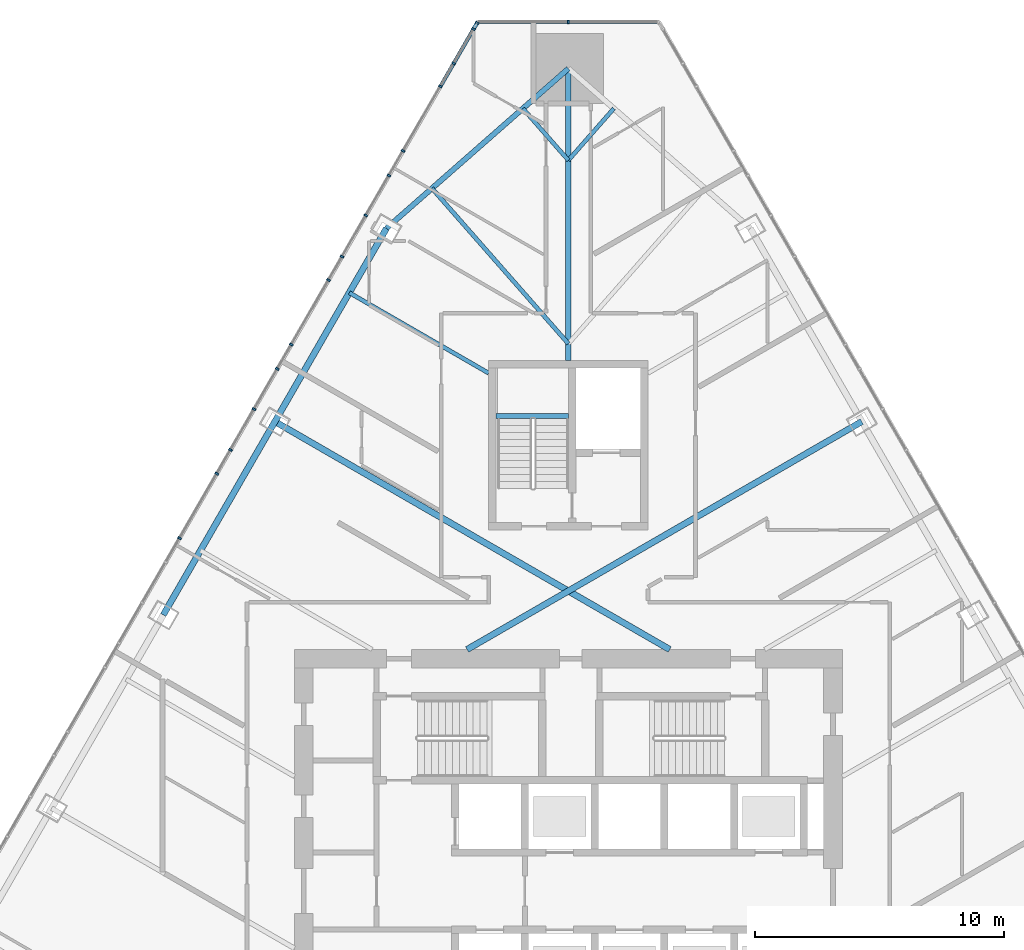
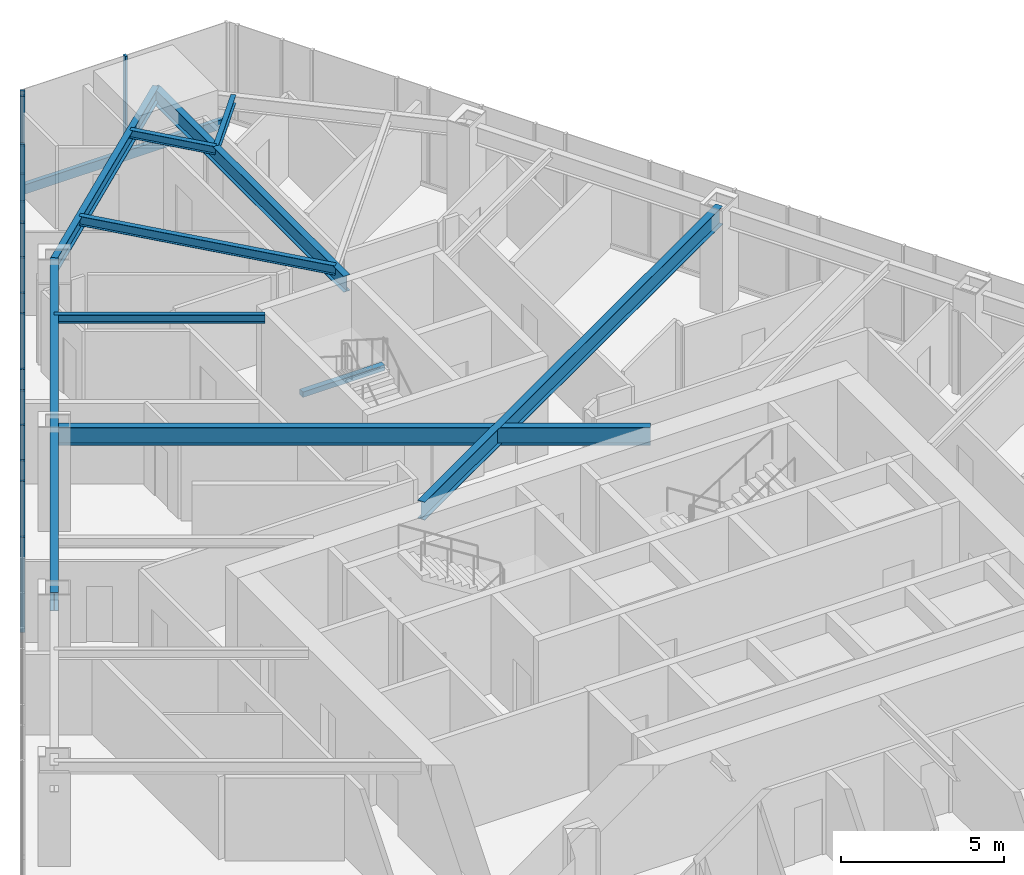
# One storey, part 11 of 26: 19 members, 10 beams, 2 elements without a shape of their own.
"""IFC4 building model written with IfcOpenShell, lengths in metres."""

from ifc_helpers import new_model, si_unit, direction, frame, origin, origin_2d, place, context, subcontext, project, spatial, rectangle, i_section, extrude, material, layer, layer_set, material_profile, profile_set, type_object, element, aggregate, save


model = new_model("IFC4")

# Units and contexts
model_context = context("Model", 3, precision=1e-05, world=origin(), true_north=direction((0.0, 1.0)))
body_context = subcontext(model_context, "Body", "Model", "MODEL_VIEW")
ifc_project = project(units=[si_unit("LENGTHUNIT", "METRE"), si_unit("AREAUNIT", "SQUARE_METRE"), si_unit("VOLUMEUNIT", "CUBIC_METRE"), si_unit("PLANEANGLEUNIT", "RADIAN"), si_unit("MASSUNIT", "GRAM", prefix="KILO")], contexts=[model_context])

# Site, building, storey
site_placement = place(None, origin())
site = spatial("IfcSite", under=ifc_project, at=site_placement, CompositionType="ELEMENT")
building_placement = place(site_placement, origin())
building = spatial("IfcBuilding", under=site, at=building_placement, Name="Firuza Gate Tower and Library", CompositionType="ELEMENT")
storey_placement = place(building_placement, frame((0.0, 0.0, 175.300048828125)))
storey = spatial("IfcBuildingStorey", under=building, at=storey_placement, Name="L40", CompositionType="ELEMENT", Elevation=175.300048828125)

# Curtain wall, member
ifc_material_1 = material(Name="Aluminium 6063-T6", Category="aluminium")
ifc_layer_1 = layer(ifc_material_1, 0.14990234375)
ifc_layer_set_1 = layer_set([ifc_layer_1], Name="Corner curtain wall, chamfers")
curtain_wall_type_1 = type_object("IfcCurtainWallType", Name="Corner curtain wall, chamfers", PredefinedType="NOTDEFINED", material=ifc_layer_set_1)
placement = place(storey_placement, origin())
curtain_wall_1 = element("IfcCurtainWall", 1, at=placement, inside=storey, type_object=curtain_wall_type_1, Name="CW4 L40 N corner", PredefinedType="NOTDEFINED")
ifc_material_2 = material(Name="Aluminium 6063-T6", Category="aluminium")
ifc_material_profile_1 = material_profile(ifc_material_2, rectangle(XDim=0.14990234375, YDim=0.080078125, at=origin_2d()))
ifc_profile_set_1 = profile_set([ifc_material_profile_1], Name="Aluminium 6063-T6")
member_type_1 = type_object("IfcMemberType", Name="Curtain wall mullion 80x150", PredefinedType="MULLION", material=ifc_profile_set_1)
member_1_placement = place(storey_placement, frame((75.0, 108.198486328125, 0.14990234375), z_axis=(0.0, 0.0, 1.0), x_axis=(0.0, -1.0, 0.0)))
member_1 = element("IfcMember", 2, at=member_1_placement, type_object=member_type_1, Name="Mullion", PredefinedType="MULLION", context=body_context, shape_type="SweptSolid", body=[
    extrude(rectangle(XDim=0.14990234375, YDim=0.080078125, at=origin_2d()), origin(), (0.0, 0.0, 1.0), 3.550048828125),
])

# Curtain wall, members
ifc_material_3 = material(Name="Aluminium 6063-T6", Category="aluminium")
ifc_layer_2 = layer(ifc_material_3, 0.14990234375)
ifc_layer_set_2 = layer_set([ifc_layer_2], Name="Unitised curtain wall, hotel")
curtain_wall_type_2 = type_object("IfcCurtainWallType", Name="Unitised curtain wall, hotel", PredefinedType="NOTDEFINED", material=ifc_layer_set_2)
curtain_wall_2 = element("IfcCurtainWall", 3, at=placement, inside=storey, type_object=curtain_wall_type_2, Name="CW2 L40 W face", PredefinedType="NOTDEFINED")
member_2_placement = place(storey_placement, frame((71.336669921875, 108.163818359375, 0.14990234375), z_axis=(0.0, 0.0, 1.0), x_axis=(0.866025403784, -0.5, 0.0)))
member_2 = element("IfcMember", 4, at=member_2_placement, type_object=member_type_1, Name="Mullion", PredefinedType="MULLION", context=body_context, shape_type="SweptSolid", body=[
    extrude(rectangle(XDim=0.14990234375, YDim=0.080078125, at=origin_2d()), origin(), (0.0, 0.0, 1.0), 3.550048828125),
])
member_3_placement = place(storey_placement, frame((69.860595703125, 105.607177734375, 0.14990234375), z_axis=(0.0, 0.0, 1.0), x_axis=(0.866025403784, -0.5, 0.0)))
member_3 = element("IfcMember", 5, at=member_3_placement, type_object=member_type_1, Name="Mullion", PredefinedType="MULLION", context=body_context, shape_type="SweptSolid", body=[
    extrude(rectangle(XDim=0.14990234375, YDim=0.080078125, at=origin_2d()), origin(), (0.0, 0.0, 1.0), 3.550048828125),
])
member_4_placement = place(storey_placement, frame((68.364501953125, 103.015869140625, 0.14990234375), z_axis=(0.0, 0.0, 1.0), x_axis=(0.866025403784, -0.5, 0.0)))
member_4 = element("IfcMember", 6, at=member_4_placement, type_object=member_type_1, Name="Mullion", PredefinedType="MULLION", context=body_context, shape_type="SweptSolid", body=[
    extrude(rectangle(XDim=0.14990234375, YDim=0.080078125, at=origin_2d()), origin(), (0.0, 0.0, 1.0), 3.550048828125),
])
member_5_placement = place(storey_placement, frame((66.868408203125, 100.4248046875, 0.14990234375), z_axis=(0.0, 0.0, 1.0), x_axis=(0.866025403784, -0.5, 0.0)))
member_5 = element("IfcMember", 7, at=member_5_placement, type_object=member_type_1, Name="Mullion", PredefinedType="MULLION", context=body_context, shape_type="SweptSolid", body=[
    extrude(rectangle(XDim=0.14990234375, YDim=0.080078125, at=origin_2d()), origin(), (0.0, 0.0, 1.0), 3.550048828125),
])
member_6_placement = place(storey_placement, frame((65.37255859375, 97.83349609375, 0.14990234375), z_axis=(0.0, 0.0, 1.0), x_axis=(0.866025403784, -0.5, 0.0)))
member_6 = element("IfcMember", 8, at=member_6_placement, type_object=member_type_1, Name="Mullion", PredefinedType="MULLION", context=body_context, shape_type="SweptSolid", body=[
    extrude(rectangle(XDim=0.14990234375, YDim=0.080078125, at=origin_2d()), origin(), (0.0, 0.0, 1.0), 3.550048828125),
])
member_7_placement = place(storey_placement, frame((63.87646484375, 95.2421875, 0.14990234375), z_axis=(0.0, 0.0, 1.0), x_axis=(0.866025403784, -0.5, 0.0)))
member_7 = element("IfcMember", 9, at=member_7_placement, type_object=member_type_1, Name="Mullion", PredefinedType="MULLION", context=body_context, shape_type="SweptSolid", body=[
    extrude(rectangle(XDim=0.14990234375, YDim=0.080078125, at=origin_2d()), origin(), (0.0, 0.0, 1.0), 3.550048828125),
])
member_8_placement = place(storey_placement, frame((62.38037109375, 92.65087890625, 0.14990234375), z_axis=(0.0, 0.0, 1.0), x_axis=(0.866025403784, -0.5, 0.0)))
member_8 = element("IfcMember", 10, at=member_8_placement, type_object=member_type_1, Name="Mullion", PredefinedType="MULLION", context=body_context, shape_type="SweptSolid", body=[
    extrude(rectangle(XDim=0.14990234375, YDim=0.080078125, at=origin_2d()), origin(), (0.0, 0.0, 1.0), 3.550048828125),
])
member_9_placement = place(storey_placement, frame((60.88427734375, 90.059814453125, 0.14990234375), z_axis=(0.0, 0.0, 1.0), x_axis=(0.866025403784, -0.5, 0.0)))
member_9 = element("IfcMember", 11, at=member_9_placement, type_object=member_type_1, Name="Mullion", PredefinedType="MULLION", context=body_context, shape_type="SweptSolid", body=[
    extrude(rectangle(XDim=0.14990234375, YDim=0.080078125, at=origin_2d()), origin(), (0.0, 0.0, 1.0), 3.550048828125),
])
member_10_placement = place(storey_placement, frame((59.38818359375, 87.468505859375, 0.14990234375), z_axis=(0.0, 0.0, 1.0), x_axis=(0.866025403784, -0.5, 0.0)))
member_10 = element("IfcMember", 12, at=member_10_placement, type_object=member_type_1, Name="Mullion", PredefinedType="MULLION", context=body_context, shape_type="SweptSolid", body=[
    extrude(rectangle(XDim=0.14990234375, YDim=0.080078125, at=origin_2d()), origin(), (0.0, 0.0, 1.0), 3.550048828125),
])
member_11_placement = place(storey_placement, frame((71.191162109375, 107.91162109375, 0.14990234375), z_axis=(0.0, 0.0, 1.0), x_axis=(0.866025403784, -0.5, 0.0)))
member_11 = element("IfcMember", 13, at=member_11_placement, type_object=member_type_1, Name="Mullion", PredefinedType="MULLION", context=body_context, shape_type="SweptSolid", body=[
    extrude(rectangle(XDim=0.14990234375, YDim=0.080078125, at=origin_2d()), origin(), (0.0, 0.0, 1.0), 1.735107421875),
])
member_12_placement = place(storey_placement, frame((70.39599609375, 106.53466796875, 0.14990234375), z_axis=(0.0, 0.0, 1.0), x_axis=(0.866025403784, -0.5, 0.0)))
member_12 = element("IfcMember", 14, at=member_12_placement, type_object=member_type_1, Name="Mullion", PredefinedType="MULLION", context=body_context, shape_type="SweptSolid", body=[
    extrude(rectangle(XDim=0.14990234375, YDim=0.080078125, at=origin_2d()), origin(), (0.0, 0.0, 1.0), 1.735107421875),
])
member_13_placement = place(storey_placement, frame((71.191162109375, 107.91162109375, 1.96484375), z_axis=(0.0, 0.0, 1.0), x_axis=(0.866025403784, -0.5, 0.0)))
member_13 = element("IfcMember", 15, at=member_13_placement, type_object=member_type_1, Name="Mullion", PredefinedType="MULLION", context=body_context, shape_type="SweptSolid", body=[
    extrude(rectangle(XDim=0.14990234375, YDim=0.080078125, at=origin_2d()), origin(), (0.0, 0.0, 1.0), 1.735107421875),
])
member_14_placement = place(storey_placement, frame((67.79296875, 102.026123046875, 0.14990234375), z_axis=(0.0, 0.0, 1.0), x_axis=(0.866025403784, -0.5, 0.0)))
member_14 = element("IfcMember", 16, at=member_14_placement, type_object=member_type_1, Name="Mullion", PredefinedType="MULLION", context=body_context, shape_type="SweptSolid", body=[
    extrude(rectangle(XDim=0.14990234375, YDim=0.080078125, at=origin_2d()), origin(), (0.0, 0.0, 1.0), 3.550048828125),
])
member_15_placement = place(storey_placement, frame((65.9150390625, 98.7734375, 0.14990234375), z_axis=(0.0, 0.0, 1.0), x_axis=(0.866025403784, -0.5, 0.0)))
member_15 = element("IfcMember", 17, at=member_15_placement, type_object=member_type_1, Name="Mullion", PredefinedType="MULLION", context=body_context, shape_type="SweptSolid", body=[
    extrude(rectangle(XDim=0.14990234375, YDim=0.080078125, at=origin_2d()), origin(), (0.0, 0.0, 1.0), 3.550048828125),
])
member_16_placement = place(storey_placement, frame((63.31201171875, 94.264892578125, 0.14990234375), z_axis=(0.0, 0.0, 1.0), x_axis=(0.866025403784, -0.5, 0.0)))
member_16 = element("IfcMember", 18, at=member_16_placement, type_object=member_type_1, Name="Mullion", PredefinedType="MULLION", context=body_context, shape_type="SweptSolid", body=[
    extrude(rectangle(XDim=0.14990234375, YDim=0.080078125, at=origin_2d()), origin(), (0.0, 0.0, 1.0), 3.550048828125),
])
member_17_placement = place(storey_placement, frame((61.43408203125, 91.011962890625, 0.14990234375), z_axis=(0.0, 0.0, 1.0), x_axis=(0.866025403784, -0.5, 0.0)))
member_17 = element("IfcMember", 19, at=member_17_placement, type_object=member_type_1, Name="Mullion", PredefinedType="MULLION", context=body_context, shape_type="SweptSolid", body=[
    extrude(rectangle(XDim=0.14990234375, YDim=0.080078125, at=origin_2d()), origin(), (0.0, 0.0, 1.0), 3.550048828125),
])

# Member
ifc_material_4 = material(Name="Aluminium 6063-T6", Category="aluminium")
ifc_material_profile_2 = material_profile(ifc_material_4, rectangle(XDim=0.14990234375, YDim=0.35009765625, at=origin_2d()))
ifc_profile_set_2 = profile_set([ifc_material_profile_2], Name="Aluminium 6063-T6")
member_type_2 = type_object("IfcMemberType", Name="Curtain wall transom 350x150", PredefinedType="USERDEFINED", material=ifc_profile_set_2)
member_18_placement = place(storey_placement, frame((78.643310546875, 108.198486328125, -0.025146484375), z_axis=(-1.0, 0.0, 0.0), x_axis=(0.0, -1.0, 0.0)))
member_18 = element("IfcMember", 20, at=member_18_placement, type_object=member_type_2, Name="Transom", ObjectType="TRANSOM", PredefinedType="USERDEFINED", context=body_context, shape_type="SweptSolid", body=[
    extrude(rectangle(XDim=0.14990234375, YDim=0.35009765625, at=origin_2d()), origin(), (0.0, 0.0, 1.0), 7.28662109375),
])

aggregate(curtain_wall_1, [member_1, member_18])

ifc_material_5 = material(Name="Aluminium 6063-T6", Category="aluminium")
ifc_material_profile_3 = material_profile(ifc_material_5, rectangle(XDim=0.14990234375, YDim=0.080078125, at=origin_2d()))
ifc_profile_set_3 = profile_set([ifc_material_profile_3], Name="Aluminium 6063-T6")
member_type_3 = type_object("IfcMemberType", Name="Curtain wall transom 80x150", PredefinedType="USERDEFINED", material=ifc_profile_set_3)
member_19_placement = place(storey_placement, frame((71.336669921875, 108.163818359375, 1.925048828125), z_axis=(-0.49999822179, -0.866026430432, 0.0), x_axis=(0.866026430432, -0.49999822179, 0.0)))
member_19 = element("IfcMember", 21, at=member_19_placement, type_object=member_type_3, Name="Transom", ObjectType="TRANSOM", PredefinedType="USERDEFINED", context=body_context, shape_type="SweptSolid", body=[
    extrude(rectangle(XDim=0.14990234375, YDim=0.080078125, at=origin_2d()), origin(), (0.0, 0.0, 1.0), 2.912109375),
])

aggregate(curtain_wall_2, [member_2, member_3, member_4, member_5, member_6, member_7, member_8, member_9, member_10, member_11, member_12, member_13, member_19, member_14, member_15, member_16, member_17])

# Beams
ifc_material_6 = material(Name="Concrete C35/45", Category="concrete")
ifc_material_profile_4 = material_profile(ifc_material_6, rectangle(XDim=0.199951171875, YDim=0.199951171875, at=origin_2d()))
ifc_profile_set_4 = profile_set([ifc_material_profile_4], Name="Concrete C35/45")
beam_type_1 = type_object("IfcBeamType", Name="Stair landing bearer 200x200", PredefinedType="BEAM", material=ifc_profile_set_4)
beam_1_placement = place(storey_placement, frame((75.0, 92.3701171875, 1.64990234375), z_axis=(-1.0, 0.0, 0.0), x_axis=(0.0, -1.0, 0.0)))
element("IfcBeam", 22, at=beam_1_placement, inside=storey, type_object=beam_type_1, Name="Landing bearer L40 stair 3", PredefinedType="BEAM", context=body_context, shape_type="SweptSolid", body=[
    extrude(rectangle(XDim=0.199951171875, YDim=0.199951171875, at=origin_2d()), origin(), (0.0, 0.0, 1.0), 2.89990234375),
])
ifc_material_7 = material(Name="Steel S355", Category="steel")
ifc_material_profile_5 = material_profile(ifc_material_7, i_section(OverallWidth=0.1650390625, OverallDepth=0.31005859375, WebThickness=0.005859375, FlangeThickness=0.009765625, at=origin_2d()))
ifc_profile_set_5 = profile_set([ifc_material_profile_5], Name="Steel S355")
beam_type_2 = type_object("IfcBeamType", Name="W310x39 Floor beam", PredefinedType="JOIST", material=ifc_profile_set_5)
for number, where, z_axis, x_axis, name in (
    (23, (76.825439453125, 104.720703125, 3.544921875), (-0.659821834056, -0.751422083321, 0.0), (0.751422083321, -0.659821834056, 0.0), "Floor beam L40 s61"),
    (24, (73.174560546875, 104.720703125, 3.544921875), (0.659821834056, -0.751422083321, 0.0), (0.751422083321, 0.659821834056, 0.0), "Floor beam L40 s70"),
):
    element("IfcBeam", number, at=place(storey_placement, frame(where, z_axis=z_axis, x_axis=x_axis)), inside=storey, type_object=beam_type_2, Name=name, PredefinedType="JOIST", context=body_context, shape_type="SweptSolid", body=[
        extrude(i_section(OverallWidth=0.1650390625, OverallDepth=0.31005859375, WebThickness=0.005859375, FlangeThickness=0.009765625, at=origin_2d()), origin(), (0.0, 0.0, 1.0), 2.7666015625),
    ])
beam_2_placement = place(storey_placement, frame((66.204833984375, 97.3251953125, 3.544921875), z_axis=(0.86602071536, -0.500008120501, 0.0), x_axis=(0.500008120501, 0.86602071536, 0.0)))
element("IfcBeam", 25, at=beam_2_placement, inside=storey, type_object=beam_type_2, Name="Floor beam L40 s80", PredefinedType="JOIST", context=body_context, shape_type="SweptSolid", body=[
    extrude(i_section(OverallWidth=0.1650390625, OverallDepth=0.31005859375, WebThickness=0.005859375, FlangeThickness=0.009765625, at=origin_2d()), origin(), (0.0, 0.0, 1.0), 6.4609375),
])
ifc_material_8 = material(Name="Steel S355", Category="steel")
ifc_material_profile_6 = material_profile(ifc_material_8, i_section(OverallWidth=0.1708984375, OverallDepth=0.35498046875, WebThickness=0.007080078125, FlangeThickness=0.01171875, at=origin_2d()))
ifc_profile_set_6 = profile_set([ifc_material_profile_6], Name="Steel S355")
beam_type_3 = type_object("IfcBeamType", Name="W360x51 Floor beam", PredefinedType="JOIST", material=ifc_profile_set_6)
beam_3_placement = place(storey_placement, frame((69.52392578125, 101.51513671875, 3.5224609375), z_axis=(0.659805224478, -0.751436667824, 0.0), x_axis=(0.751436667824, 0.659805224478, 0.0)))
element("IfcBeam", 26, at=beam_3_placement, inside=storey, type_object=beam_type_3, Name="Floor beam L40 s71", PredefinedType="JOIST", context=body_context, shape_type="SweptSolid", body=[
    extrude(i_section(OverallWidth=0.1708984375, OverallDepth=0.35498046875, WebThickness=0.007080078125, FlangeThickness=0.01171875, at=origin_2d()), origin(), (0.0, 0.0, 1.0), 8.299560546875),
])
ifc_material_9 = material(Name="Steel S355", Category="steel")
ifc_material_profile_7 = material_profile(ifc_material_9, i_section(OverallWidth=0.212890625, OverallDepth=0.5390625, WebThickness=0.01171875, FlangeThickness=0.018798828125, at=origin_2d()))
ifc_profile_set_7 = profile_set([ifc_material_profile_7], Name="Steel S355")
beam_type_4 = type_object("IfcBeamType", Name="W530x109 Edge beam", PredefinedType="SPANDREL", material=ifc_profile_set_7)
beam_4_placement = place(storey_placement, frame((75.0, 106.323486328125, 3.430419921875), z_axis=(-0.751437794332, -0.659803941524, 0.0), x_axis=(0.659803941524, -0.751437794332, 0.0)))
element("IfcBeam", 27, at=beam_4_placement, inside=storey, type_object=beam_type_4, Name="Edge beam L40 e70", PredefinedType="SPANDREL", context=body_context, shape_type="SweptSolid", body=[
    extrude(i_section(OverallWidth=0.212890625, OverallDepth=0.5390625, WebThickness=0.01171875, FlangeThickness=0.018798828125, at=origin_2d()), origin(), (0.0, 0.0, 1.0), 9.716796875),
])
ifc_material_10 = material(Name="Steel S355", Category="steel")
ifc_material_profile_8 = material_profile(ifc_material_10, i_section(OverallWidth=0.22802734375, OverallDepth=0.60302734375, WebThickness=0.010498046875, FlangeThickness=0.014892578125, at=origin_2d()))
ifc_profile_set_8 = profile_set([ifc_material_profile_8], Name="Steel S355")
beam_type_5 = type_object("IfcBeamType", Name="W610x101 Girder", PredefinedType="BEAM", material=ifc_profile_set_8)
beam_5_placement = place(storey_placement, frame((75.0, 106.323486328125, 3.3984375), z_axis=(0.0, -1.0, 0.0), x_axis=(1.0, 0.0, 0.0)))
element("IfcBeam", 28, at=beam_5_placement, inside=storey, type_object=beam_type_5, Name="Girder L40 gN", PredefinedType="BEAM", context=body_context, shape_type="SweptSolid", body=[
    extrude(i_section(OverallWidth=0.22802734375, OverallDepth=0.60302734375, WebThickness=0.010498046875, FlangeThickness=0.014892578125, at=origin_2d()), origin(), (0.0, 0.0, 1.0), 11.723388671875),
])
ifc_material_11 = material(Name="Steel S355", Category="steel")
ifc_material_profile_9 = material_profile(ifc_material_11, i_section(OverallWidth=0.2529296875, OverallDepth=0.677978515625, WebThickness=0.01171875, FlangeThickness=0.016357421875, at=origin_2d()))
ifc_profile_set_9 = profile_set([ifc_material_profile_9], Name="Steel S355")
beam_type_6 = type_object("IfcBeamType", Name="W690x125 Edge beam", PredefinedType="SPANDREL", material=ifc_profile_set_9)
beam_6_placement = place(storey_placement, frame((67.698486328125, 99.912353515625, 3.36083984375), z_axis=(-0.499994815902, -0.866028396804, 0.0), x_axis=(0.866028396804, -0.499994815902, 0.0)))
element("IfcBeam", 29, at=beam_6_placement, inside=storey, type_object=beam_type_6, Name="Edge beam L40 e80", PredefinedType="SPANDREL", context=body_context, shape_type="SweptSolid", body=[
    extrude(i_section(OverallWidth=0.2529296875, OverallDepth=0.677978515625, WebThickness=0.01171875, FlangeThickness=0.016357421875, at=origin_2d()), origin(), (0.0, 0.0, 1.0), 17.924072265625),
])
ifc_material_12 = material(Name="Steel S355", Category="steel")
ifc_material_profile_10 = material_profile(ifc_material_12, i_section(OverallWidth=0.2529296875, OverallDepth=0.677978515625, WebThickness=0.01171875, FlangeThickness=0.016357421875, at=origin_2d()))
ifc_profile_set_10 = profile_set([ifc_material_profile_10], Name="Steel S355")
beam_type_7 = type_object("IfcBeamType", Name="W690x125 Floor beam", PredefinedType="JOIST", material=ifc_profile_set_10)
for number, where, z_axis, x_axis, name in (
    (30, (86.782470703125, 92.15087890625, 3.36083984375), (-0.866026309651, -0.49999843099, 0.0), (0.49999843099, -0.866026309651, 0.0), "Floor beam L40 s54"),
    (31, (63.217529296875, 92.15087890625, 3.36083984375), (0.866026309651, -0.49999843099, 0.0), (0.49999843099, 0.866026309651, 0.0), "Floor beam L40 s81"),
):
    element("IfcBeam", number, at=place(storey_placement, frame(where, z_axis=z_axis, x_axis=x_axis)), inside=storey, type_object=beam_type_7, Name=name, PredefinedType="JOIST", context=body_context, shape_type="SweptSolid", body=[
        extrude(i_section(OverallWidth=0.2529296875, OverallDepth=0.677978515625, WebThickness=0.01171875, FlangeThickness=0.016357421875, at=origin_2d()), origin(), (0.0, 0.0, 1.0), 18.3017578125),
    ])

save(model, "model.ifc")
